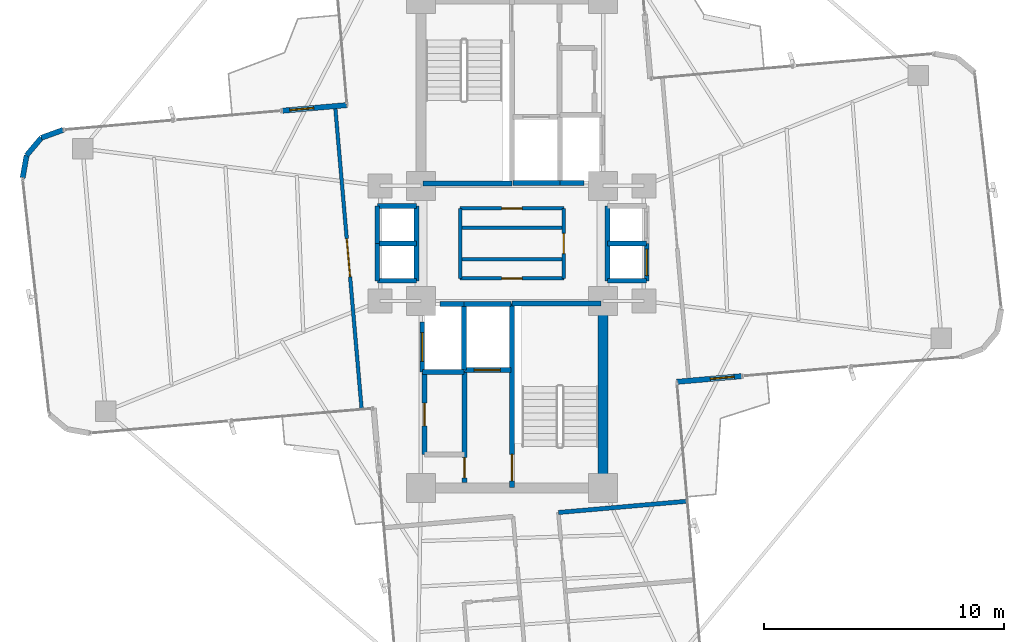
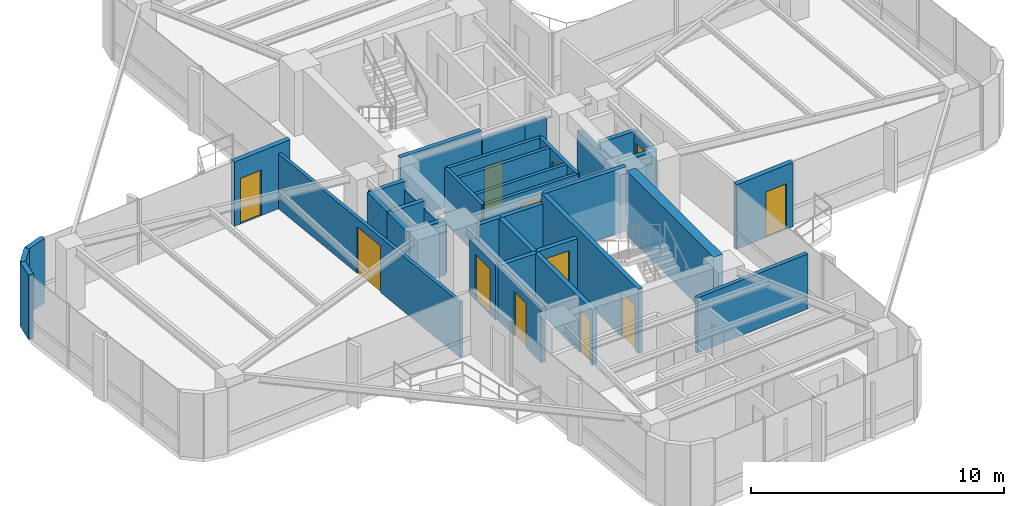
# One storey, part 21 of 24: 37 walls, 12 doors, 12 openings.
"""IFC4 building model written with IfcOpenShell, lengths in metres."""

from ifc_helpers import new_model, si_unit, direction, frame, frame_2d, origin, origin_2d, place, context, subcontext, project, spatial, rectangle, extrude, source, transform, mapped, material, layer, layer_set, type_object, element, fill, save


model = new_model("IFC4")

# Units and contexts
model_context = context("Model", 3, precision=1e-05, world=origin(), true_north=direction((0.0, 1.0)))
body_context = subcontext(model_context, "Body", "Model", "MODEL_VIEW")
ifc_project = project(units=[si_unit("LENGTHUNIT", "METRE"), si_unit("AREAUNIT", "SQUARE_METRE"), si_unit("VOLUMEUNIT", "CUBIC_METRE"), si_unit("PLANEANGLEUNIT", "RADIAN"), si_unit("MASSUNIT", "GRAM", prefix="KILO")], contexts=[model_context])

# Site, building, storey
site_placement = place(None, origin())
site = spatial("IfcSite", under=ifc_project, at=site_placement, CompositionType="ELEMENT")
building_placement = place(site_placement, origin())
building = spatial("IfcBuilding", under=site, at=building_placement, Name="Sahyath Konkavel Grand Hotel", CompositionType="ELEMENT")
storey_placement = place(building_placement, frame((0.0, 0.0, 185.25)))
storey = spatial("IfcBuildingStorey", under=building, at=storey_placement, Name="L51", CompositionType="ELEMENT", Elevation=185.25)

# Wall
ifc_material_1 = material(Name="Concrete C50/60", Category="concrete")
ifc_layer_1 = layer(ifc_material_1, 0.419921875)
ifc_layer_set_1 = layer_set([ifc_layer_1], Name="Concrete C50/60")
wall_type_1 = type_object("IfcWallType", Name="CWALL-420", PredefinedType="SHEAR", material=ifc_layer_set_1)
wall_1_placement = place(storey_placement, frame((3.800048828125, -9.75, 0.0), z_axis=(0.0, 0.0, 1.0), x_axis=(0.0, 1.0, 0.0)))
element("IfcWall", 1, at=wall_1_placement, inside=storey, type_object=wall_type_1, Name="L51 South Core Shear Wall E", PredefinedType="SHEAR", context=body_context, shape_type="SweptSolid", body=[
    extrude(rectangle(XDim=6.89990234375, YDim=0.419921875, at=frame_2d((3.449951171875, 0.0))), origin(), (0.0, 0.0, 1.0), 3.110107421875),
])

# Wall, opening, door
ifc_material_2 = material(Name="Warm Buff Sandstone Insulated Concrete C40/50", Category="masonry")
ifc_layer_2 = layer(ifc_material_2, 0.219970703125)
ifc_layer_set_2 = layer_set([ifc_layer_2], Name="Warm Buff Sandstone Insulated Concrete C40/50")
wall_type_2 = type_object("IfcWallType", Name="WLL-BALC-THRESH", PredefinedType="STANDARD", material=ifc_layer_set_2)
wall_2_placement = place(storey_placement, frame((6.87939453125, -5.7724609375, 0.0), z_axis=(0.0, 0.0, 1.0), x_axis=(0.996193619346, 0.087168071984, 0.0)))
wall_2 = element("IfcWall", 2, at=wall_2_placement, inside=storey, type_object=wall_type_2, Name="L51 Winter-Garden Threshold Wall 0", PredefinedType="STANDARD", context=body_context, shape_type="SweptSolid", body=[
    extrude(rectangle(XDim=2.699951171875, YDim=0.219970703125, at=frame_2d((1.35009765625, 0.0))), origin(), (0.0, 0.0, 1.0), 3.110107421875),
])
opening_1_placement = place(wall_2_placement, frame((1.39990234375, 0.0, 0.0)))
opening_1 = element("IfcOpeningElement", 3, at=opening_1_placement, cuts=wall_2, Name="Opening D-TR1", PredefinedType="OPENING", context=body_context, shape_type="SweptSolid", body=[
    extrude(rectangle(XDim=1.0, YDim=2.199951171875, at=frame_2d((0.5, 1.10009765625))), frame((0.0, 0.1201171875, 0.0), z_axis=(0.0, -1.0, 0.0), x_axis=(1.0, 0.0, 0.0)), (0.0, 0.0, 1.0), 0.239990234375),
])
ifc_material_3 = material(Name="Anodised Bronze Aluminium & Low-E Glazing", Category="aluminium")
door_type_1 = type_object("IfcDoorType", Name="DR-TERRACE-1000", OperationType="NOTDEFINED", PredefinedType="DOOR", material=ifc_material_3)
shared_shape_1 = source(origin(), body_context, "Body", "SweptSolid", [
    extrude(rectangle(XDim=1.0, YDim=0.050048828125, at=origin_2d()), origin(), (0.0, 0.0, 1.0), 2.199951171875),
])
door_1_placement = place(opening_1_placement, frame((0.5, 0.0, 0.0)))
door_1 = element("IfcDoor", 4, at=door_1_placement, inside=storey, type_object=door_type_1, Name="L51 Winter-Garden Terrace Door 0", OperationType="SINGLE_SWING_LEFT", OverallHeight=2.199951171875, OverallWidth=1.0, PredefinedType="DOOR", context=body_context, shape_type="MappedRepresentation", body=[
    mapped(shared_shape_1, transform((0.0, 0.0, 0.0), scale=1.0)),
])
fill(opening_1, door_1)

wall_3_placement = place(storey_placement, frame((-6.87939453125, 5.7724609375, 0.0), z_axis=(0.0, 0.0, 1.0), x_axis=(-0.996193619346, -0.087168071984, 0.0)))
wall_3 = element("IfcWall", 5, at=wall_3_placement, inside=storey, type_object=wall_type_2, Name="L51 Winter-Garden Threshold Wall 16", PredefinedType="STANDARD", context=body_context, shape_type="SweptSolid", body=[
    extrude(rectangle(XDim=2.699951171875, YDim=0.219970703125, at=frame_2d((1.35009765625, 0.0))), origin(), (0.0, 0.0, 1.0), 3.110107421875),
])
opening_2_placement = place(wall_3_placement, frame((1.39990234375, 0.0, 0.0)))
opening_2 = element("IfcOpeningElement", 6, at=opening_2_placement, cuts=wall_3, Name="Opening D-TR1", PredefinedType="OPENING", context=body_context, shape_type="SweptSolid", body=[
    extrude(rectangle(XDim=1.0, YDim=2.199951171875, at=frame_2d((0.5, 1.10009765625))), frame((0.0, 0.1201171875, 0.0), z_axis=(0.0, -1.0, 0.0), x_axis=(1.0, 0.0, 0.0)), (0.0, 0.0, 1.0), 0.239990234375),
])
door_2_placement = place(opening_2_placement, frame((0.5, 0.0, 0.0)))
door_2 = element("IfcDoor", 7, at=door_2_placement, inside=storey, type_object=door_type_1, Name="L51 Winter-Garden Terrace Door 16", OperationType="SINGLE_SWING_LEFT", OverallHeight=2.199951171875, OverallWidth=1.0, PredefinedType="DOOR", context=body_context, shape_type="MappedRepresentation", body=[
    mapped(shared_shape_1, transform((0.0, 0.0, 0.0), scale=1.0)),
])
fill(opening_2, door_2)

# Walls
wall_4_placement = place(storey_placement, frame((-18.73388671875, 4.735107421875, 0.0), z_axis=(0.0, 0.0, 1.0), x_axis=(-0.939741306239, -0.34188635151, 0.0)))
element("IfcWall", 8, at=wall_4_placement, inside=storey, type_object=wall_type_2, Name="L51 Rounded Corner Sandstone Pier 17", PredefinedType="STANDARD", context=body_context, shape_type="SweptSolid", body=[
    extrude(rectangle(XDim=0.95751953125, YDim=0.219970703125, at=frame_2d((0.478759765625, 0.0))), origin(), (0.0, 0.0, 1.0), 3.110107421875),
])
for number, where, z_axis, x_axis, name in (
    (9, (-19.6337890625, 4.40771484375, 0.0), (0.0, 0.0, 1.0), (-0.642863236823, -0.765980978054, 0.0), "L51 Rounded Corner Sandstone Pier 18"),
    (10, (-20.24951171875, 3.674072265625, 0.0), (0.0, 0.0, 1.0), (-0.173610811841, -0.984814340885, 0.0), "L51 Rounded Corner Sandstone Pier 19"),
):
    element("IfcWall", number, at=place(storey_placement, frame(where, z_axis=z_axis, x_axis=x_axis)), inside=storey, type_object=wall_type_2, Name=name, PredefinedType="STANDARD", context=body_context, shape_type="SweptSolid", body=[
        extrude(rectangle(XDim=0.957763671875, YDim=0.219970703125, at=frame_2d((0.47900390625, 0.0))), origin(), (0.0, 0.0, 1.0), 3.110107421875),
    ])
ifc_material_4 = material(Name="Concrete C40/50", Category="concrete")
ifc_layer_3 = layer(ifc_material_4, 0.199951171875)
ifc_layer_set_3 = layer_set([ifc_layer_3], Name="Concrete C40/50")
wall_type_3 = type_object("IfcWallType", Name="WLL-CORE-200", PredefinedType="SOLIDWALL", material=ifc_layer_set_3)
wall_5_placement = place(storey_placement, frame((-3.719970703125, 2.5, 0.0), z_axis=(0.0, 0.0, 1.0), x_axis=(1.0, 0.0, 0.0)))
element("IfcWall", 11, at=wall_5_placement, inside=storey, type_object=wall_type_3, Name="L51 Stair ST-1 Shaft Wall S", PredefinedType="SOLIDWALL", context=body_context, shape_type="SweptSolid", body=[
    extrude(rectangle(XDim=3.719970703125, YDim=0.199951171875, at=frame_2d((1.85986328125, 0.0))), origin(), (0.0, 0.0, 1.0), 3.110107421875),
])

# Wall, opening, door
wall_6_placement = place(storey_placement, frame((0.0, -10.179931640625, 0.0), z_axis=(0.0, 0.0, 1.0), x_axis=(0.0, 1.0, 0.0)))
wall_6 = element("IfcWall", 12, at=wall_6_placement, inside=storey, type_object=wall_type_3, Name="L51 Stair ST-2 Shaft Wall W", PredefinedType="SOLIDWALL", context=body_context, shape_type="SweptSolid", body=[
    extrude(rectangle(XDim=7.679931640625, YDim=0.199951171875, at=frame_2d((3.83984375, 0.0))), origin(), (0.0, 0.0, 1.0), 3.110107421875),
])
opening_3_placement = place(wall_6_placement, frame((0.280029296875, 0.0, 0.0)))
opening_3 = element("IfcOpeningElement", 13, at=opening_3_placement, cuts=wall_6, Name="Opening D-F12B", PredefinedType="OPENING", context=body_context, shape_type="SweptSolid", body=[
    extrude(rectangle(XDim=1.10009765625, YDim=2.14990234375, at=frame_2d((0.550048828125, 1.074951171875))), frame((0.0, 0.10986328125, 0.0), z_axis=(0.0, -1.0, 0.0), x_axis=(1.0, 0.0, 0.0)), (0.0, 0.0, 1.0), 0.219970703125),
])
ifc_material_5 = material(Name="Steel E350 Smokeproof Fire Door", Category="steel")
door_type_2 = type_object("IfcDoorType", Name="DR-FD120-1100", OperationType="NOTDEFINED", PredefinedType="DOOR", material=ifc_material_5)
shared_shape_2 = source(origin(), body_context, "Body", "SweptSolid", [
    extrude(rectangle(XDim=1.10009765625, YDim=0.050048828125, at=origin_2d()), origin(), (0.0, 0.0, 1.0), 2.14990234375),
])
door_3_placement = place(opening_3_placement, frame((0.550048828125, 0.0, 0.0)))
door_3 = element("IfcDoor", 14, at=door_3_placement, inside=storey, type_object=door_type_2, Name="L51 Stair ST-2 Fire Door", OperationType="SINGLE_SWING_RIGHT", OverallHeight=2.14990234375, OverallWidth=1.10009765625, PredefinedType="DOOR", context=body_context, shape_type="MappedRepresentation", body=[
    mapped(shared_shape_2, transform((0.0, 0.0, 0.0), scale=1.0)),
])
fill(opening_3, door_3)

# Wall
wall_7_placement = place(storey_placement, frame((0.0, -2.5, 0.0), z_axis=(0.0, 0.0, 1.0), x_axis=(1.0, 0.0, 0.0)))
element("IfcWall", 15, at=wall_7_placement, inside=storey, type_object=wall_type_3, Name="L51 Stair ST-2 Shaft Wall N", PredefinedType="SOLIDWALL", context=body_context, shape_type="SweptSolid", body=[
    extrude(rectangle(XDim=3.719970703125, YDim=0.199951171875, at=frame_2d((1.85986328125, 0.0))), origin(), (0.0, 0.0, 1.0), 3.110107421875),
])

# Wall, opening, door
wall_8_placement = place(storey_placement, frame((-1.97998046875, -9.97998046875, 0.0), z_axis=(0.0, 0.0, 1.0), x_axis=(0.0, 1.0, 0.0)))
wall_8 = element("IfcWall", 16, at=wall_8_placement, inside=storey, type_object=wall_type_3, Name="L51 South Firefighting Lobby Wall W", PredefinedType="SOLIDWALL", context=body_context, shape_type="SweptSolid", body=[
    extrude(rectangle(XDim=4.659912109375, YDim=0.199951171875, at=frame_2d((2.330078125, 0.0))), origin(), (0.0, 0.0, 1.0), 2.659912109375),
])
opening_4_placement = place(wall_8_placement, frame((0.199951171875, 0.0, 0.0)))
opening_4 = element("IfcOpeningElement", 17, at=opening_4_placement, cuts=wall_8, Name="Opening D-F12D", PredefinedType="OPENING", context=body_context, shape_type="SweptSolid", body=[
    extrude(rectangle(XDim=0.85009765625, YDim=2.10009765625, at=frame_2d((0.425048828125, 1.050048828125))), frame((0.0, 0.10986328125, 0.0), z_axis=(0.0, -1.0, 0.0), x_axis=(1.0, 0.0, 0.0)), (0.0, 0.0, 1.0), 0.219970703125),
])
ifc_material_6 = material(Name="Steel E350 Core Fire Door", Category="steel")
door_type_3 = type_object("IfcDoorType", Name="DR-FD120-850", OperationType="NOTDEFINED", PredefinedType="DOOR", material=ifc_material_6)
shared_shape_3 = source(origin(), body_context, "Body", "SweptSolid", [
    extrude(rectangle(XDim=0.85009765625, YDim=0.050048828125, at=origin_2d()), origin(), (0.0, 0.0, 1.0), 2.10009765625),
])
door_4_placement = place(opening_4_placement, frame((0.425048828125, 0.0, 0.0)))
door_4 = element("IfcDoor", 18, at=door_4_placement, inside=storey, type_object=door_type_3, Name="L51 South Firefighting Lobby Door", OperationType="SINGLE_SWING_RIGHT", OverallHeight=2.10009765625, OverallWidth=0.85009765625, PredefinedType="DOOR", context=body_context, shape_type="MappedRepresentation", body=[
    mapped(shared_shape_3, transform((0.0, 0.0, 0.0), scale=1.0)),
])
fill(opening_4, door_4)

# Walls
wall_9_placement = place(storey_placement, frame((0.050048828125, 2.52001953125, 0.0), z_axis=(0.0, 0.0, 1.0), x_axis=(1.0, 0.0, 0.0)))
element("IfcWall", 19, at=wall_9_placement, inside=storey, type_object=wall_type_3, Name="L51 Partition SH-FFL1-S", PredefinedType="SOLIDWALL", context=body_context, shape_type="SweptSolid", body=[
    extrude(rectangle(XDim=1.949951171875, YDim=0.199951171875, at=frame_2d((0.97509765625, 0.0))), origin(), (0.0, 0.0, 1.0), 2.659912109375),
])
wall_10_placement = place(storey_placement, frame((-2.0, -5.280029296875, 0.0), z_axis=(0.0, 0.0, 1.0), x_axis=(0.0, 1.0, 0.0)))
element("IfcWall", 20, at=wall_10_placement, inside=storey, type_object=wall_type_3, Name="L51 Partition SH-FFL2-W", PredefinedType="SOLIDWALL", context=body_context, shape_type="SweptSolid", body=[
    extrude(rectangle(XDim=2.780029296875, YDim=0.199951171875, at=frame_2d((1.39013671875, 0.0))), origin(), (0.0, 0.0, 1.0), 2.659912109375),
])
wall_11_placement = place(storey_placement, frame((-2.0, -2.52001953125, 0.0), z_axis=(0.0, 0.0, 1.0), x_axis=(1.0, 0.0, 0.0)))
element("IfcWall", 21, at=wall_11_placement, inside=storey, type_object=wall_type_3, Name="L51 Partition SH-FFL2-N", PredefinedType="SOLIDWALL", context=body_context, shape_type="SweptSolid", body=[
    extrude(rectangle(XDim=1.949951171875, YDim=0.199951171875, at=frame_2d((0.97509765625, 0.0))), origin(), (0.0, 0.0, 1.0), 2.659912109375),
])

# Wall, opening, door
wall_12_placement = place(storey_placement, frame((-1.97998046875, -5.280029296875, 0.0), z_axis=(0.0, 0.0, 1.0), x_axis=(1.0, 0.0, 0.0)))
wall_12 = element("IfcWall", 22, at=wall_12_placement, inside=storey, type_object=wall_type_3, Name="L51 Partition SH-FFL2-S", PredefinedType="SOLIDWALL", context=body_context, shape_type="SweptSolid", body=[
    extrude(rectangle(XDim=1.929931640625, YDim=0.199951171875, at=frame_2d((0.96484375, 0.0))), origin(), (0.0, 0.0, 1.0), 2.659912109375),
])
opening_5_placement = place(wall_12_placement, frame((0.39990234375, 0.0, 0.0)))
opening_5 = element("IfcOpeningElement", 23, at=opening_5_placement, cuts=wall_12, Name="Opening LD-11", PredefinedType="OPENING", context=body_context, shape_type="SweptSolid", body=[
    extrude(rectangle(XDim=1.10009765625, YDim=2.199951171875, at=frame_2d((0.550048828125, 1.10009765625))), frame((0.0, 0.10986328125, 0.0), z_axis=(0.0, -1.0, 0.0), x_axis=(1.0, 0.0, 0.0)), (0.0, 0.0, 1.0), 0.219970703125),
])
ifc_material_7 = material(Name="Bronze Lift Landing Door 1100")
door_type_4 = type_object("IfcDoorType", Name="DR-LIFT-1100", OperationType="DOUBLE_DOOR_SLIDING", PredefinedType="DOOR", material=ifc_material_7)
shared_shape_4 = source(origin(), body_context, "Body", "SweptSolid", [
    extrude(rectangle(XDim=1.10009765625, YDim=0.050048828125, at=origin_2d()), origin(), (0.0, 0.0, 1.0), 2.199951171875),
])
door_5_placement = place(opening_5_placement, frame((0.550048828125, 0.0, 0.0)))
door_5 = element("IfcDoor", 24, at=door_5_placement, inside=storey, type_object=door_type_4, Name="L51 Lift FFL-2 Landing Door", OperationType="DOUBLE_DOOR_SLIDING", OverallHeight=2.199951171875, OverallWidth=1.10009765625, PredefinedType="DOOR", context=body_context, shape_type="MappedRepresentation", body=[
    mapped(shared_shape_4, transform((0.0, 0.0, 0.0), scale=1.0)),
])
fill(opening_5, door_5)

# Walls
for number, where, z_axis, x_axis, name in (
    (25, (2.0, 2.52001953125, 0.0), (0.0, 0.0, 1.0), (1.0, 0.0, 0.0), "L51 Partition SH-SVL1-S"),
    (26, (-3.0, -2.52001953125, 0.0), (0.0, 0.0, 1.0), (1.0, 0.0, 0.0), "L51 Partition SH-SVL2-N"),
):
    element("IfcWall", number, at=place(storey_placement, frame(where, z_axis=z_axis, x_axis=x_axis)), inside=storey, type_object=wall_type_3, Name=name, PredefinedType="SOLIDWALL", context=body_context, shape_type="SweptSolid", body=[
        extrude(rectangle(XDim=1.0, YDim=0.199951171875, at=frame_2d((0.5, 0.0))), origin(), (0.0, 0.0, 1.0), 2.659912109375),
    ])
wall_13_placement = place(storey_placement, frame((-3.739990234375, -5.360107421875, 0.0), z_axis=(0.0, 0.0, 1.0), x_axis=(1.0, 0.0, 0.0)))
element("IfcWall", 27, at=wall_13_placement, inside=storey, type_object=wall_type_3, Name="L51 Partition SH-SVL2-S", PredefinedType="SOLIDWALL", context=body_context, shape_type="SweptSolid", body=[
    extrude(rectangle(XDim=1.739990234375, YDim=0.199951171875, at=frame_2d((0.8701171875, 0.0))), origin(), (0.0, 0.0, 1.0), 2.659912109375),
])

# Wall, opening, door
wall_14_placement = place(storey_placement, frame((-3.739990234375, -5.360107421875, 0.0), z_axis=(0.0, 0.0, 1.0), x_axis=(0.0, 1.0, 0.0)))
wall_14 = element("IfcWall", 28, at=wall_14_placement, inside=storey, type_object=wall_type_3, Name="L51 Partition SH-SVL2-W", PredefinedType="SOLIDWALL", context=body_context, shape_type="SweptSolid", body=[
    extrude(rectangle(XDim=2.080078125, YDim=0.199951171875, at=frame_2d((1.0400390625, 0.0))), origin(), (0.0, 0.0, 1.0), 2.659912109375),
])
opening_6_placement = place(wall_14_placement, frame((0.43994140625, 0.0, 0.0)))
opening_6 = element("IfcOpeningElement", 29, at=opening_6_placement, cuts=wall_14, Name="Opening LD-12", PredefinedType="OPENING", context=body_context, shape_type="SweptSolid", body=[
    extrude(rectangle(XDim=1.199951171875, YDim=2.199951171875, at=frame_2d((0.60009765625, 1.10009765625))), frame((0.0, 0.10986328125, 0.0), z_axis=(0.0, -1.0, 0.0), x_axis=(1.0, 0.0, 0.0)), (0.0, 0.0, 1.0), 0.219970703125),
])
ifc_material_8 = material(Name="Stainless Steel Lift Landing Door 1200", Category="steel")
door_type_5 = type_object("IfcDoorType", Name="DR-LIFT-1200", OperationType="DOUBLE_DOOR_SLIDING", PredefinedType="DOOR", material=ifc_material_8)
shared_shape_5 = source(origin(), body_context, "Body", "SweptSolid", [
    extrude(rectangle(XDim=1.199951171875, YDim=0.050048828125, at=origin_2d()), origin(), (0.0, 0.0, 1.0), 2.199951171875),
])
door_6_placement = place(opening_6_placement, frame((0.60009765625, 0.0, 0.0)))
door_6 = element("IfcDoor", 30, at=door_6_placement, inside=storey, type_object=door_type_5, Name="L51 Service Lift SVL-2 Landing Door", OperationType="DOUBLE_DOOR_SLIDING", OverallHeight=2.199951171875, OverallWidth=1.199951171875, PredefinedType="DOOR", context=body_context, shape_type="MappedRepresentation", body=[
    mapped(shared_shape_5, transform((0.0, 0.0, 0.0), scale=1.0)),
])
fill(opening_6, door_6)

# Walls
wall_15_placement = place(storey_placement, frame((3.97998046875, -1.56005859375, 0.0), z_axis=(0.0, 0.0, 1.0), x_axis=(0.0, 1.0, 0.0)))
element("IfcWall", 31, at=wall_15_placement, inside=storey, type_object=wall_type_3, Name="L51 Partition SH-PL56-W", PredefinedType="SOLIDWALL", context=body_context, shape_type="SweptSolid", body=[
    extrude(rectangle(XDim=3.1201171875, YDim=0.199951171875, at=frame_2d((1.56005859375, 0.0))), origin(), (0.0, 0.0, 1.0), 2.280029296875),
])
for number, where, z_axis, x_axis, name in (
    (32, (3.97998046875, -1.56005859375, 0.0), (0.0, 0.0, 1.0), (1.0, 0.0, 0.0), "L51 Partition SH-PL56-S"),
    (33, (3.97998046875, 0.0, 0.0), (0.0, 0.0, 1.0), (1.0, 0.0, 0.0), "L51 Partition SH-PL56-M"),
):
    element("IfcWall", number, at=place(storey_placement, frame(where, z_axis=z_axis, x_axis=x_axis)), inside=storey, type_object=wall_type_3, Name=name, PredefinedType="SOLIDWALL", context=body_context, shape_type="SweptSolid", body=[
        extrude(rectangle(XDim=1.64013671875, YDim=0.199951171875, at=frame_2d((0.820068359375, 0.0))), origin(), (0.0, 0.0, 1.0), 2.659912109375),
    ])

# Wall, opening, door
wall_16_placement = place(storey_placement, frame((5.6201171875, -1.56005859375, 0.0), z_axis=(0.0, 0.0, 1.0), x_axis=(0.0, 1.0, 0.0)))
wall_16 = element("IfcWall", 34, at=wall_16_placement, inside=storey, type_object=wall_type_3, Name="L51 Partition SH-PL6-E", PredefinedType="SOLIDWALL", context=body_context, shape_type="SweptSolid", body=[
    extrude(rectangle(XDim=1.56005859375, YDim=0.199951171875, at=frame_2d((0.780029296875, 0.0))), origin(), (0.0, 0.0, 1.0), 2.659912109375),
])
opening_7_placement = place(wall_16_placement, frame((0.219970703125, 0.0, 0.0)))
opening_7 = element("IfcOpeningElement", 35, at=opening_7_placement, cuts=wall_16, Name="Opening LD-11", PredefinedType="OPENING", context=body_context, shape_type="SweptSolid", body=[
    extrude(rectangle(XDim=1.10009765625, YDim=2.199951171875, at=frame_2d((0.550048828125, 1.10009765625))), frame((0.0, 0.10986328125, 0.0), z_axis=(0.0, -1.0, 0.0), x_axis=(1.0, 0.0, 0.0)), (0.0, 0.0, 1.0), 0.219970703125),
])
door_7_placement = place(opening_7_placement, frame((0.550048828125, 0.0, 0.0)))
door_7 = element("IfcDoor", 36, at=door_7_placement, inside=storey, type_object=door_type_4, Name="L51 High-Rise Lift PL-6 Landing Door", OperationType="DOUBLE_DOOR_SLIDING", OverallHeight=2.199951171875, OverallWidth=1.10009765625, PredefinedType="DOOR", context=body_context, shape_type="MappedRepresentation", body=[
    mapped(shared_shape_4, transform((0.0, 0.0, 0.0), scale=1.0)),
])
fill(opening_7, door_7)

# Walls
wall_17_placement = place(storey_placement, frame((-3.97998046875, -1.56005859375, 0.0), z_axis=(0.0, 0.0, 1.0), x_axis=(0.0, 1.0, 0.0)))
element("IfcWall", 37, at=wall_17_placement, inside=storey, type_object=wall_type_3, Name="L51 Partition SH-SL12-E", PredefinedType="SOLIDWALL", context=body_context, shape_type="SweptSolid", body=[
    extrude(rectangle(XDim=3.1201171875, YDim=0.199951171875, at=frame_2d((1.56005859375, 0.0))), origin(), (0.0, 0.0, 1.0), 2.280029296875),
])
for number, where, z_axis, x_axis, name in (
    (38, (-5.6201171875, 1.56005859375, 0.0), (0.0, 0.0, 1.0), (1.0, 0.0, 0.0), "L51 Partition SH-SL12-N"),
    (39, (-5.6201171875, -1.56005859375, 0.0), (0.0, 0.0, 1.0), (1.0, 0.0, 0.0), "L51 Partition SH-SL12-S"),
    (40, (-5.6201171875, 0.0, 0.0), (0.0, 0.0, 1.0), (1.0, 0.0, 0.0), "L51 Partition SH-SL12-M"),
):
    element("IfcWall", number, at=place(storey_placement, frame(where, z_axis=z_axis, x_axis=x_axis)), inside=storey, type_object=wall_type_3, Name=name, PredefinedType="SOLIDWALL", context=body_context, shape_type="SweptSolid", body=[
        extrude(rectangle(XDim=1.64013671875, YDim=0.199951171875, at=frame_2d((0.820068359375, 0.0))), origin(), (0.0, 0.0, 1.0), 2.659912109375),
    ])
for number, where, z_axis, x_axis, name in (
    (41, (-5.6201171875, 0.0, 0.0), (0.0, 0.0, 1.0), (0.0, 1.0, 0.0), "L51 Partition SH-SL1-W"),
    (42, (-5.6201171875, -1.56005859375, 0.0), (0.0, 0.0, 1.0), (0.0, 1.0, 0.0), "L51 Partition SH-SL2-W"),
):
    element("IfcWall", number, at=place(storey_placement, frame(where, z_axis=z_axis, x_axis=x_axis)), inside=storey, type_object=wall_type_3, Name=name, PredefinedType="SOLIDWALL", context=body_context, shape_type="SweptSolid", body=[
        extrude(rectangle(XDim=1.56005859375, YDim=0.199951171875, at=frame_2d((0.780029296875, 0.0))), origin(), (0.0, 0.0, 1.0), 2.659912109375),
    ])

# Wall, opening, door
wall_18_placement = place(storey_placement, frame((-3.64990234375, -8.81005859375, 0.0), z_axis=(0.0, 0.0, 1.0), x_axis=(0.0, 1.0, 0.0)))
wall_18 = element("IfcWall", 43, at=wall_18_placement, inside=storey, type_object=wall_type_3, Name="L51 Reclaimed South Core Wall W", PredefinedType="SOLIDWALL", context=body_context, shape_type="SweptSolid", body=[
    extrude(rectangle(XDim=3.43017578125, YDim=0.199951171875, at=frame_2d((1.715087890625, 0.0))), origin(), (0.0, 0.0, 1.0), 2.659912109375),
])
opening_8_placement = place(wall_18_placement, frame((1.199951171875, 0.0, 0.0)))
opening_8 = element("IfcOpeningElement", 44, at=opening_8_placement, cuts=wall_18, Name="Opening D-AC95", PredefinedType="OPENING", context=body_context, shape_type="SweptSolid", body=[
    extrude(rectangle(XDim=0.949951171875, YDim=2.14990234375, at=frame_2d((0.47509765625, 1.074951171875))), frame((0.0, 0.10986328125, 0.0), z_axis=(0.0, -1.0, 0.0), x_axis=(1.0, 0.0, 0.0)), (0.0, 0.0, 1.0), 0.219970703125),
])
ifc_material_9 = material(Name="Accessible Washroom Timber Door", Category="wood")
door_type_6 = type_object("IfcDoorType", Name="DR-ACC-950", OperationType="NOTDEFINED", PredefinedType="DOOR", material=ifc_material_9)
shared_shape_6 = source(origin(), body_context, "Body", "SweptSolid", [
    extrude(rectangle(XDim=0.949951171875, YDim=0.050048828125, at=origin_2d()), origin(), (0.0, 0.0, 1.0), 2.14990234375),
])
door_8_placement = place(opening_8_placement, frame((0.47509765625, 0.0, 0.0)))
door_8 = element("IfcDoor", 45, at=door_8_placement, inside=storey, type_object=door_type_6, Name="L51 Door SC-REC1-D", OperationType="SINGLE_SWING_RIGHT", OverallHeight=2.14990234375, OverallWidth=0.949951171875, PredefinedType="DOOR", context=body_context, shape_type="MappedRepresentation", body=[
    mapped(shared_shape_6, transform((0.0, 0.0, 0.0), scale=1.0)),
])
fill(opening_8, door_8)

# Wall
ifc_material_10 = material(Name="Twin-Stud Acoustic Gypsum Plasterboard Partition")
ifc_layer_4 = layer(ifc_material_10, 0.179931640625)
ifc_layer_set_4 = layer_set([ifc_layer_4], Name="Twin-Stud Acoustic Gypsum Plasterboard Partition")
wall_type_4 = type_object("IfcWallType", Name="WLL-DEMISE-180", PredefinedType="PARTITIONING", material=ifc_layer_set_4)
wall_19_placement = place(storey_placement, frame((1.935546875, -11.22412109375, 0.0), z_axis=(0.0, 0.0, 1.0), x_axis=(0.996194212812, 0.087161289348, 0.0)))
element("IfcWall", 46, at=wall_19_placement, inside=storey, type_object=wall_type_4, Name="L51 Partition S-INL", PredefinedType="PARTITIONING", context=body_context, shape_type="SweptSolid", body=[
    extrude(rectangle(XDim=5.349853515625, YDim=0.179931640625, at=frame_2d((2.6748046875, 0.0))), origin(), (0.0, 0.0, 1.0), 2.659912109375),
])

# Wall, opening, door
ifc_material_11 = material(Name="Fire-Rated Gypsum Plasterboard Partition")
ifc_layer_5 = layer(ifc_material_11, 0.14990234375)
ifc_layer_set_5 = layer_set([ifc_layer_5], Name="Fire-Rated Gypsum Plasterboard Partition")
wall_type_5 = type_object("IfcWallType", Name="WLL-PART-150", PredefinedType="PARTITIONING", material=ifc_layer_set_5)
wall_20_placement = place(storey_placement, frame((2.159912109375, -1.4599609375, 0.0), z_axis=(0.0, 0.0, 1.0), x_axis=(0.0, 1.0, 0.0)))
wall_20 = element("IfcWall", 47, at=wall_20_placement, inside=storey, type_object=wall_type_5, Name="L51 Partition CC-2E", PredefinedType="PARTITIONING", context=body_context, shape_type="SweptSolid", body=[
    extrude(rectangle(XDim=2.919921875, YDim=0.14990234375, at=frame_2d((1.4599609375, 0.0))), origin(), (0.0, 0.0, 1.0), 2.659912109375),
])
opening_9_placement = place(wall_20_placement, frame((1.034912109375, 0.0, 0.0)))
opening_9 = element("IfcOpeningElement", 48, at=opening_9_placement, cuts=wall_20, Name="Opening D-F06D", PredefinedType="OPENING", context=body_context, shape_type="SweptSolid", body=[
    extrude(rectangle(XDim=0.85009765625, YDim=2.10009765625, at=frame_2d((0.425048828125, 1.050048828125))), frame((0.0, 0.0849609375, 0.0), z_axis=(0.0, -1.0, 0.0), x_axis=(1.0, 0.0, 0.0)), (0.0, 0.0, 1.0), 0.169921875),
])
ifc_material_12 = material(Name="Fire-Rated Shaft Access Door")
door_type_7 = type_object("IfcDoorType", Name="DR-FD60-850", OperationType="NOTDEFINED", PredefinedType="DOOR", material=ifc_material_12)
door_9_placement = place(opening_9_placement, frame((0.425048828125, 0.0, 0.0)))
door_9 = element("IfcDoor", 49, at=door_9_placement, inside=storey, type_object=door_type_7, Name="L51 Door CC-D2B", OperationType="SINGLE_SWING_RIGHT", OverallHeight=2.10009765625, OverallWidth=0.85009765625, PredefinedType="DOOR", context=body_context, shape_type="MappedRepresentation", body=[
    mapped(shared_shape_3, transform((0.0, 0.0, 0.0), scale=1.0)),
])
fill(opening_9, door_9)

# Wall
wall_21_placement = place(storey_placement, frame((-2.159912109375, -1.4599609375, 0.0), z_axis=(0.0, 0.0, 1.0), x_axis=(0.0, 1.0, 0.0)))
element("IfcWall", 50, at=wall_21_placement, inside=storey, type_object=wall_type_5, Name="L51 Partition CC-2W", PredefinedType="PARTITIONING", context=body_context, shape_type="SweptSolid", body=[
    extrude(rectangle(XDim=2.919921875, YDim=0.14990234375, at=frame_2d((1.4599609375, 0.0))), origin(), (0.0, 0.0, 1.0), 2.659912109375),
])

# Wall, opening, door
wall_22_placement = place(storey_placement, frame((-2.159912109375, 1.4599609375, 0.0), z_axis=(0.0, 0.0, 1.0), x_axis=(1.0, 0.0, 0.0)))
wall_22 = element("IfcWall", 51, at=wall_22_placement, inside=storey, type_object=wall_type_5, Name="L51 Partition CC-2N", PredefinedType="PARTITIONING", context=body_context, shape_type="SweptSolid", body=[
    extrude(rectangle(XDim=4.31982421875, YDim=0.14990234375, at=frame_2d((2.159912109375, 0.0))), origin(), (0.0, 0.0, 1.0), 2.659912109375),
])
opening_10_placement = place(wall_22_placement, frame((1.72998046875, 0.0, 0.0)))
opening_10 = element("IfcOpeningElement", 52, at=opening_10_placement, cuts=wall_22, Name="Opening D-F06D", PredefinedType="OPENING", context=body_context, shape_type="SweptSolid", body=[
    extrude(rectangle(XDim=0.85009765625, YDim=2.10009765625, at=frame_2d((0.425048828125, 1.050048828125))), frame((0.0, 0.0849609375, 0.0), z_axis=(0.0, -1.0, 0.0), x_axis=(1.0, 0.0, 0.0)), (0.0, 0.0, 1.0), 0.169921875),
])
door_10_placement = place(opening_10_placement, frame((0.425048828125, 0.0, 0.0)))
door_10 = element("IfcDoor", 53, at=door_10_placement, inside=storey, type_object=door_type_7, Name="L51 Door CC-D2A", OperationType="SINGLE_SWING_LEFT", OverallHeight=2.10009765625, OverallWidth=0.85009765625, PredefinedType="DOOR", context=body_context, shape_type="MappedRepresentation", body=[
    mapped(shared_shape_3, transform((0.0, 0.0, 0.0), scale=1.0)),
])
fill(opening_10, door_10)

wall_23_placement = place(storey_placement, frame((-2.159912109375, -1.4599609375, 0.0), z_axis=(0.0, 0.0, 1.0), x_axis=(1.0, 0.0, 0.0)))
wall_23 = element("IfcWall", 54, at=wall_23_placement, inside=storey, type_object=wall_type_5, Name="L51 Partition CC-2S", PredefinedType="PARTITIONING", context=body_context, shape_type="SweptSolid", body=[
    extrude(rectangle(XDim=4.31982421875, YDim=0.14990234375, at=frame_2d((2.159912109375, 0.0))), origin(), (0.0, 0.0, 1.0), 2.659912109375),
])
opening_11_placement = place(wall_23_placement, frame((1.72998046875, 0.0, 0.0)))
opening_11 = element("IfcOpeningElement", 55, at=opening_11_placement, cuts=wall_23, Name="Opening D-F06D", PredefinedType="OPENING", context=body_context, shape_type="SweptSolid", body=[
    extrude(rectangle(XDim=0.85009765625, YDim=2.10009765625, at=frame_2d((0.425048828125, 1.050048828125))), frame((0.0, 0.0849609375, 0.0), z_axis=(0.0, -1.0, 0.0), x_axis=(1.0, 0.0, 0.0)), (0.0, 0.0, 1.0), 0.169921875),
])
door_11_placement = place(opening_11_placement, frame((0.425048828125, 0.0, 0.0)))
door_11 = element("IfcDoor", 56, at=door_11_placement, inside=storey, type_object=door_type_7, Name="L51 Door CC-D2C", OperationType="SINGLE_SWING_LEFT", OverallHeight=2.10009765625, OverallWidth=0.85009765625, PredefinedType="DOOR", context=body_context, shape_type="MappedRepresentation", body=[
    mapped(shared_shape_3, transform((0.0, 0.0, 0.0), scale=1.0)),
])
fill(opening_11, door_11)

# Walls
for number, where, z_axis, x_axis, name in (
    (57, (-2.159912109375, 0.659912109375, 0.0), (0.0, 0.0, 1.0), (1.0, 0.0, 0.0), "L51 Partition CC-2M1"),
    (58, (-2.159912109375, -0.659912109375, 0.0), (0.0, 0.0, 1.0), (1.0, 0.0, 0.0), "L51 Partition CC-2M2"),
):
    element("IfcWall", number, at=place(storey_placement, frame(where, z_axis=z_axis, x_axis=x_axis)), inside=storey, type_object=wall_type_5, Name=name, PredefinedType="PARTITIONING", context=body_context, shape_type="SweptSolid", body=[
        extrude(rectangle(XDim=4.31982421875, YDim=0.14990234375, at=frame_2d((2.159912109375, 0.0))), origin(), (0.0, 0.0, 1.0), 2.659912109375),
    ])

# Wall, opening, door
wall_24_placement = place(storey_placement, frame((-7.373046875, 5.678955078125, 0.0), z_axis=(0.0, 0.0, 1.0), x_axis=(0.087154691724, -0.996194790044, 0.0)))
wall_24 = element("IfcWall", 59, at=wall_24_placement, inside=storey, type_object=wall_type_5, Name="L51 Partition W-SAL-IN", PredefinedType="PARTITIONING", context=body_context, shape_type="SweptSolid", body=[
    extrude(rectangle(XDim=12.599853515625, YDim=0.14990234375, at=frame_2d((6.2998046875, 0.0))), origin(), (0.0, 0.0, 1.0), 2.659912109375),
])
opening_12_placement = place(wall_24_placement, frame((5.5, 0.0, 0.0)))
opening_12 = element("IfcOpeningElement", 60, at=opening_12_placement, cuts=wall_24, Name="Opening D-DB16", PredefinedType="OPENING", context=body_context, shape_type="SweptSolid", body=[
    extrude(rectangle(XDim=1.60009765625, YDim=2.25, at=frame_2d((0.800048828125, 1.125))), frame((0.0, 0.0849609375, 0.0), z_axis=(0.0, -1.0, 0.0), x_axis=(1.0, 0.0, 0.0)), (0.0, 0.0, 1.0), 0.169921875),
])
ifc_material_13 = material(Name="Double Leaf Lounge Glazed Timber Door", Category="wood")
door_type_8 = type_object("IfcDoorType", Name="DR-DBL-1600", OperationType="DOUBLE_DOOR_SINGLE_SWING", PredefinedType="DOOR", material=ifc_material_13)
shared_shape_7 = source(origin(), body_context, "Body", "SweptSolid", [
    extrude(rectangle(XDim=1.60009765625, YDim=0.050048828125, at=origin_2d()), origin(), (0.0, 0.0, 1.0), 2.25),
])
door_12_placement = place(opening_12_placement, frame((0.800048828125, 0.0, 0.0)))
door_12 = element("IfcDoor", 61, at=door_12_placement, inside=storey, type_object=door_type_8, Name="L51 Door W-SAL-D", OperationType="DOUBLE_DOOR_SINGLE_SWING", OverallHeight=2.25, OverallWidth=1.60009765625, PredefinedType="DOOR", context=body_context, shape_type="MappedRepresentation", body=[
    mapped(shared_shape_7, transform((0.0, 0.0, 0.0), scale=1.0)),
])
fill(opening_12, door_12)

save(model, "model.ifc")
